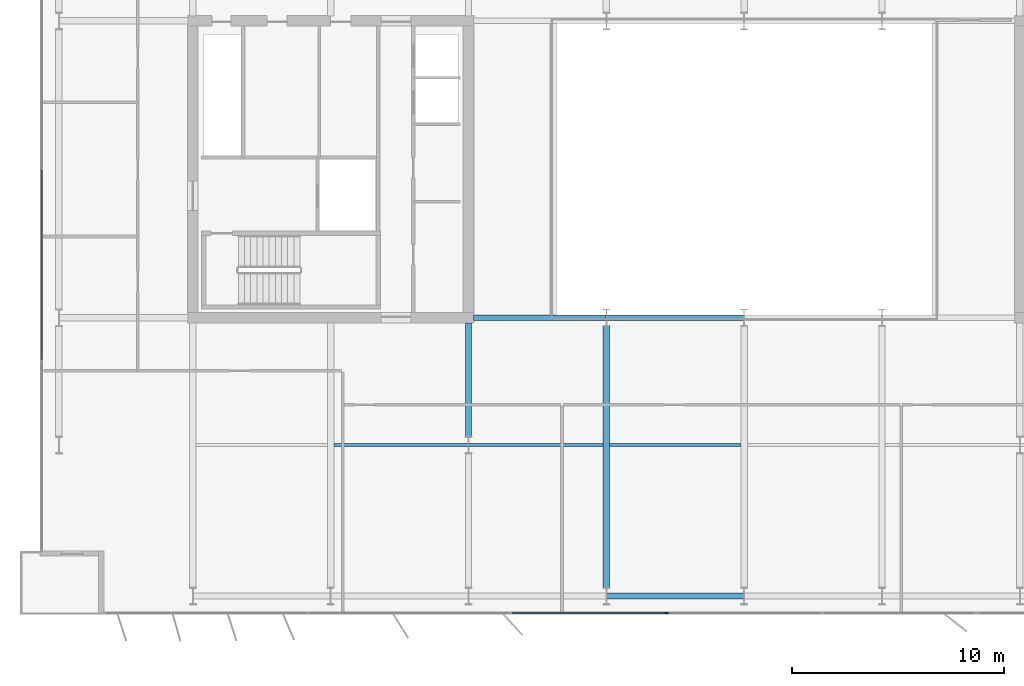
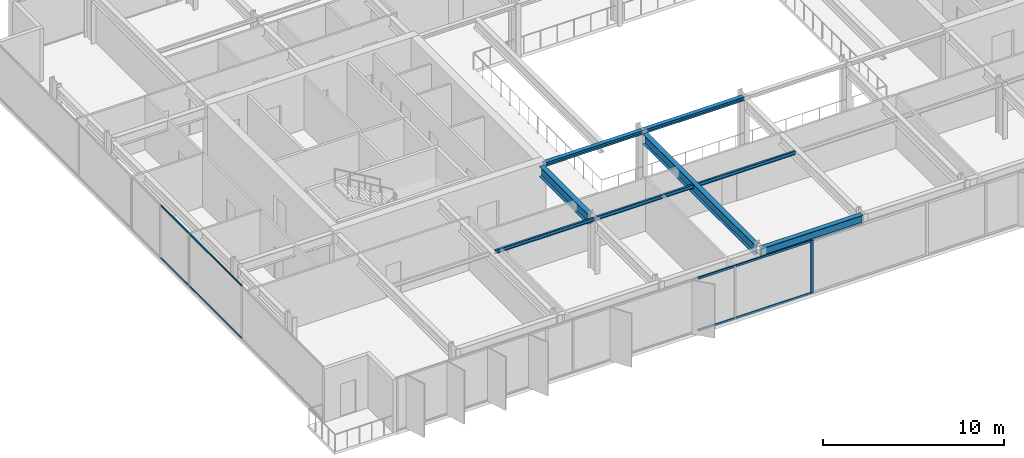
# One storey, part 4 of 23: 8 beams, 5 members, 2 elements without a shape of their own.
"""IFC4 building model written with IfcOpenShell, lengths in metres."""

from ifc_helpers import new_model, si_unit, direction, frame, origin, origin_2d, place, context, subcontext, project, spatial, rectangle, i_section, extrude, material, layer, layer_set, material_profile, profile_set, type_object, element, aggregate, save


model = new_model("IFC4")

# Units and contexts
model_context = context("Model", 3, precision=1e-05, world=origin(), true_north=direction((0.0, 1.0)))
body_context = subcontext(model_context, "Body", "Model", "MODEL_VIEW")
ifc_project = project(units=[si_unit("LENGTHUNIT", "METRE"), si_unit("AREAUNIT", "SQUARE_METRE"), si_unit("VOLUMEUNIT", "CUBIC_METRE"), si_unit("PLANEANGLEUNIT", "RADIAN"), si_unit("MASSUNIT", "GRAM", prefix="KILO")], contexts=[model_context])

# Site, building, storey
site_placement = place(None, origin())
site = spatial("IfcSite", under=ifc_project, at=site_placement, CompositionType="ELEMENT")
building_placement = place(site_placement, origin())
building = spatial("IfcBuilding", under=site, at=building_placement, Name="Putna Gate Headquarters", CompositionType="ELEMENT")
storey_placement = place(building_placement, frame((0.0, 0.0, 229.0)))
storey = spatial("IfcBuildingStorey", under=building, at=storey_placement, Name="L57", CompositionType="ELEMENT", Elevation=229.0)

# Beams
ifc_material_1 = material(Name="Steel S355J2", Category="steel")
ifc_material_profile_1 = material_profile(ifc_material_1, i_section(OverallWidth=0.260009765625, OverallDepth=0.260009765625, WebThickness=0.010009765625, FlangeThickness=0.017578125, at=origin_2d()), Name="Steel S355J2")
ifc_profile_set_1 = profile_set([ifc_material_profile_1], Name="Steel S355J2")
beam_type_1 = type_object("IfcBeamType", Name="BM-ATRIUM-HEB260", PredefinedType="BEAM", material=ifc_profile_set_1)
beam_1_placement = place(storey_placement, frame((26.235107421875, 19.0, 3.449951171875), z_axis=(1.0, 0.0, 0.0), x_axis=(0.0, 1.0, 0.0)))
element("IfcBeam", 1, at=beam_1_placement, inside=storey, type_object=beam_type_1, Name="L57 Atrium Edge Beam AS1", PredefinedType="BEAM", context=body_context, shape_type="SweptSolid", body=[
    extrude(i_section(OverallWidth=0.260009765625, OverallDepth=0.260009765625, WebThickness=0.010009765625, FlangeThickness=0.017578125, at=origin_2d()), origin(), (0.0, 0.0, 1.0), 6.2587890625),
])
beam_2_placement = place(storey_placement, frame((32.506103515625, 19.0, 3.449951171875), z_axis=(1.0, 0.0, 0.0), x_axis=(0.0, 1.0, 0.0)))
element("IfcBeam", 2, at=beam_2_placement, inside=storey, type_object=beam_type_1, Name="L57 Atrium Edge Beam AS2", PredefinedType="BEAM", context=body_context, shape_type="SweptSolid", body=[
    extrude(i_section(OverallWidth=0.260009765625, OverallDepth=0.260009765625, WebThickness=0.010009765625, FlangeThickness=0.017578125, at=origin_2d()), origin(), (0.0, 0.0, 1.0), 6.48779296875),
])
ifc_material_profile_2 = material_profile(ifc_material_1, i_section(OverallWidth=0.300048828125, OverallDepth=0.699951171875, WebThickness=0.01708984375, FlangeThickness=0.031982421875, at=origin_2d()), Name="Steel S355J2")
ifc_profile_set_2 = profile_set([ifc_material_profile_2], Name="Steel S355J2")
beam_type_2 = type_object("IfcBeamType", Name="BM-GIRD-B-HEB700", PredefinedType="USERDEFINED", material=ifc_profile_set_2)
beam_3_placement = place(storey_placement, frame((26.0, 13.39501953125, 3.22998046875), z_axis=(0.0, 1.0, 0.0), x_axis=(-1.0, 0.0, 0.0)))
element("IfcBeam", 3, at=beam_3_placement, inside=storey, type_object=beam_type_2, Name="L57 South Primary Girder X26-2", ObjectType="GIRDER", PredefinedType="USERDEFINED", context=body_context, shape_type="SweptSolid", body=[
    extrude(i_section(OverallWidth=0.300048828125, OverallDepth=0.699951171875, WebThickness=0.01708984375, FlangeThickness=0.031982421875, at=origin_2d()), origin(), (0.0, 0.0, 1.0), 5.369873046875),
])
beam_4_placement = place(storey_placement, frame((32.5, 6.27490234375, 3.22998046875), z_axis=(0.0, 1.0, 0.0), x_axis=(-1.0, 0.0, 0.0)))
element("IfcBeam", 4, at=beam_4_placement, inside=storey, type_object=beam_type_2, Name="L57 South Primary Girder X32", ObjectType="GIRDER", PredefinedType="USERDEFINED", context=body_context, shape_type="SweptSolid", body=[
    extrude(i_section(OverallWidth=0.300048828125, OverallDepth=0.699951171875, WebThickness=0.01708984375, FlangeThickness=0.031982421875, at=origin_2d()), origin(), (0.0, 0.0, 1.0), 12.330078125),
])
ifc_material_profile_3 = material_profile(ifc_material_1, i_section(OverallWidth=0.1201171875, OverallDepth=0.239990234375, WebThickness=0.006103515625, FlangeThickness=0.009765625, at=origin_2d()), Name="Steel S355J2")
ifc_profile_set_3 = profile_set([ifc_material_profile_3], Name="Steel S355J2")
beam_type_3 = type_object("IfcBeamType", Name="BM-SEC-Z4-IPE240", PredefinedType="JOIST", material=ifc_profile_set_3)
for number, where, z_axis, x_axis, name in (
    (5, (19.654052734375, 13.0, 3.4599609375), (1.0, 0.0, 0.0), (0.0, 1.0, 0.0), "L57 South Secondary Beam 2"),
    (6, (26.006103515625, 13.0, 3.4599609375), (1.0, 0.0, 0.0), (0.0, 1.0, 0.0), "L57 South Secondary Beam 3"),
):
    element("IfcBeam", number, at=place(storey_placement, frame(where, z_axis=z_axis, x_axis=x_axis)), inside=storey, type_object=beam_type_3, Name=name, PredefinedType="JOIST", context=body_context, shape_type="SweptSolid", body=[
        extrude(i_section(OverallWidth=0.1201171875, OverallDepth=0.239990234375, WebThickness=0.006103515625, FlangeThickness=0.009765625, at=origin_2d()), origin(), (0.0, 0.0, 1.0), 6.33984375),
    ])
beam_5_placement = place(storey_placement, frame((32.654052734375, 13.0, 3.4599609375), z_axis=(1.0, 0.0, 0.0), x_axis=(0.0, 1.0, 0.0)))
element("IfcBeam", 7, at=beam_5_placement, inside=storey, type_object=beam_type_3, Name="L57 South Secondary Beam 4", PredefinedType="JOIST", context=body_context, shape_type="SweptSolid", body=[
    extrude(i_section(OverallWidth=0.1201171875, OverallDepth=0.239990234375, WebThickness=0.006103515625, FlangeThickness=0.009765625, at=origin_2d()), origin(), (0.0, 0.0, 1.0), 6.19189453125),
])
ifc_material_profile_4 = material_profile(ifc_material_1, i_section(OverallWidth=0.300048828125, OverallDepth=0.590087890625, WebThickness=0.012939453125, FlangeThickness=0.02490234375, at=origin_2d()), Name="Steel S355J2")
ifc_profile_set_4 = profile_set([ifc_material_profile_4], Name="Steel S355J2")
beam_type_4 = type_object("IfcBeamType", Name="BM-SPAN-Z4-HEA600", PredefinedType="SPANDREL", material=ifc_profile_set_4)
beam_6_placement = place(storey_placement, frame((32.506103515625, 5.8798828125, 3.284912109375), z_axis=(1.0, 0.0, 0.0), x_axis=(0.0, 1.0, 0.0)))
element("IfcBeam", 8, at=beam_6_placement, inside=storey, type_object=beam_type_4, Name="L57 S Perimeter Spandrel 4", PredefinedType="SPANDREL", context=body_context, shape_type="SweptSolid", body=[
    extrude(i_section(OverallWidth=0.300048828125, OverallDepth=0.590087890625, WebThickness=0.012939453125, FlangeThickness=0.02490234375, at=origin_2d()), origin(), (0.0, 0.0, 1.0), 6.48779296875),
])

# Curtain wall, member
ifc_material_2 = material(Name="Anodised bronze aluminium curtain wall", Category="aluminium")
ifc_layer_1 = layer(ifc_material_2, 0.179931640625)
ifc_layer_set_1 = layer_set([ifc_layer_1], Name="Anodised bronze aluminium curtain wall")
curtain_wall_type_1 = type_object("IfcCurtainWallType", Name="CW-SYS-ATR", PredefinedType="USERDEFINED", material=ifc_layer_set_1)
curtain_wall_1_placement = place(storey_placement, origin())
curtain_wall_1 = element("IfcCurtainWall", 9, at=curtain_wall_1_placement, inside=storey, type_object=curtain_wall_type_1, Name="L57 South Atrium Clear Glazing", ObjectType="ATRIUM GLAZING", PredefinedType="USERDEFINED")
ifc_material_3 = material(Name="Anodised bronze aluminium EN AW-6060", Category="aluminium")
ifc_material_profile_5 = material_profile(ifc_material_3, rectangle(XDim=0.070068359375, YDim=0.179931640625, at=origin_2d()), Name="Anodised bronze aluminium EN AW-6060")
ifc_profile_set_5 = profile_set([ifc_material_profile_5], Name="Anodised bronze aluminium EN AW-6060")
member_type_1 = type_object("IfcMemberType", Name="MULL-CWM-AT", PredefinedType="MULLION", material=ifc_profile_set_5)
member_1_placement = place(storey_placement, frame((35.333251953125, 5.080078125, 0.0), z_axis=(0.0, 0.0, 1.0), x_axis=(0.0, 1.0, 0.0)))
member_1 = element("IfcMember", 10, at=member_1_placement, type_object=member_type_1, Name="CWS-AT mullion 2", PredefinedType="MULLION", context=body_context, shape_type="SweptSolid", body=[
    extrude(rectangle(XDim=0.070068359375, YDim=0.179931640625, at=origin_2d()), origin(), (0.0, 0.0, 1.0), 3.580078125),
])

# Curtain wall, members
ifc_layer_2 = layer(ifc_material_2, 0.139892578125)
ifc_layer_set_2 = layer_set([ifc_layer_2], Name="Anodised bronze aluminium curtain wall")
curtain_wall_type_2 = type_object("IfcCurtainWallType", Name="CW-SYS-Z4", PredefinedType="USERDEFINED", material=ifc_layer_set_2)
curtain_wall_2_placement = place(storey_placement, origin())
curtain_wall_2 = element("IfcCurtainWall", 11, at=curtain_wall_2_placement, inside=storey, type_object=curtain_wall_type_2, Name="L57 West Curtain Wall", ObjectType="STICK CURTAIN WALL", PredefinedType="USERDEFINED")
ifc_material_profile_6 = material_profile(ifc_material_3, rectangle(XDim=0.06005859375, YDim=0.10009765625, at=origin_2d()), Name="Anodised bronze aluminium EN AW-6060")
ifc_profile_set_6 = profile_set([ifc_material_profile_6], Name="Anodised bronze aluminium EN AW-6060")
member_type_2 = type_object("IfcMemberType", Name="TRAN-CWT-4", PredefinedType="USERDEFINED", material=ifc_profile_set_6)
member_2_placement = place(storey_placement, frame((5.8798828125, 17.030029296875, 0.030029296875), z_axis=(0.0, 1.0, 0.0), x_axis=(-1.0, 0.0, 0.0)))
member_2 = element("IfcMember", 12, at=member_2_placement, type_object=member_type_2, Name="CWS-4 transom 2.1", ObjectType="TRANSOM", PredefinedType="USERDEFINED", context=body_context, shape_type="SweptSolid", body=[
    extrude(rectangle(XDim=0.06005859375, YDim=0.10009765625, at=origin_2d()), origin(), (0.0, 0.0, 1.0), 8.93994140625),
])
member_3_placement = place(storey_placement, frame((5.8798828125, 17.030029296875, 3.550048828125), z_axis=(0.0, 1.0, 0.0), x_axis=(-1.0, 0.0, 0.0)))
member_3 = element("IfcMember", 13, at=member_3_placement, type_object=member_type_2, Name="CWS-4 transom 2.2", ObjectType="TRANSOM", PredefinedType="USERDEFINED", context=body_context, shape_type="SweptSolid", body=[
    extrude(rectangle(XDim=0.06005859375, YDim=0.10009765625, at=origin_2d()), origin(), (0.0, 0.0, 1.0), 8.93994140625),
])
aggregate(curtain_wall_2, [member_2, member_3])

# Member
ifc_material_profile_7 = material_profile(ifc_material_3, rectangle(XDim=0.070068359375, YDim=0.139892578125, at=origin_2d()), Name="Anodised bronze aluminium EN AW-6060")
ifc_profile_set_7 = profile_set([ifc_material_profile_7], Name="Anodised bronze aluminium EN AW-6060")
member_type_3 = type_object("IfcMemberType", Name="TRAN-CWT-AT", PredefinedType="USERDEFINED", material=ifc_profile_set_7)
member_4_placement = place(storey_placement, frame((28.070068359375, 5.080078125, 0.034912109375), z_axis=(1.0, 0.0, 0.0), x_axis=(0.0, 1.0, 0.0)))
member_4 = element("IfcMember", 14, at=member_4_placement, type_object=member_type_3, Name="CWS-AT transom 1.1", ObjectType="TRANSOM", PredefinedType="USERDEFINED", context=body_context, shape_type="SweptSolid", body=[
    extrude(rectangle(XDim=0.070068359375, YDim=0.139892578125, at=origin_2d()), origin(), (0.0, 0.0, 1.0), 7.228271484375),
])

member_5_placement = place(storey_placement, frame((28.070068359375, 5.080078125, 3.544921875), z_axis=(1.0, 0.0, 0.0), x_axis=(0.0, 1.0, 0.0)))
member_5 = element("IfcMember", 15, at=member_5_placement, type_object=member_type_3, Name="CWS-AT transom 1.2", ObjectType="TRANSOM", PredefinedType="USERDEFINED", context=body_context, shape_type="SweptSolid", body=[
    extrude(rectangle(XDim=0.070068359375, YDim=0.139892578125, at=origin_2d()), origin(), (0.0, 0.0, 1.0), 7.228271484375),
])

aggregate(curtain_wall_1, [member_1, member_4, member_5])

save(model, "model.ifc")
